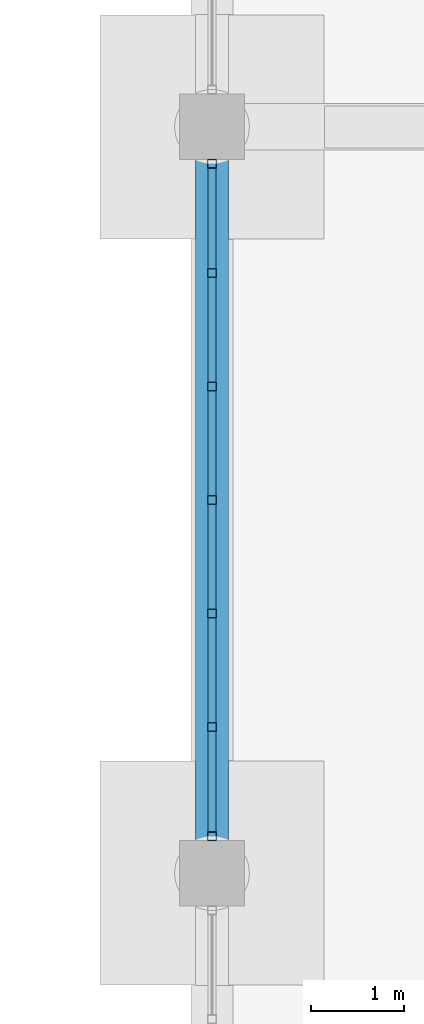
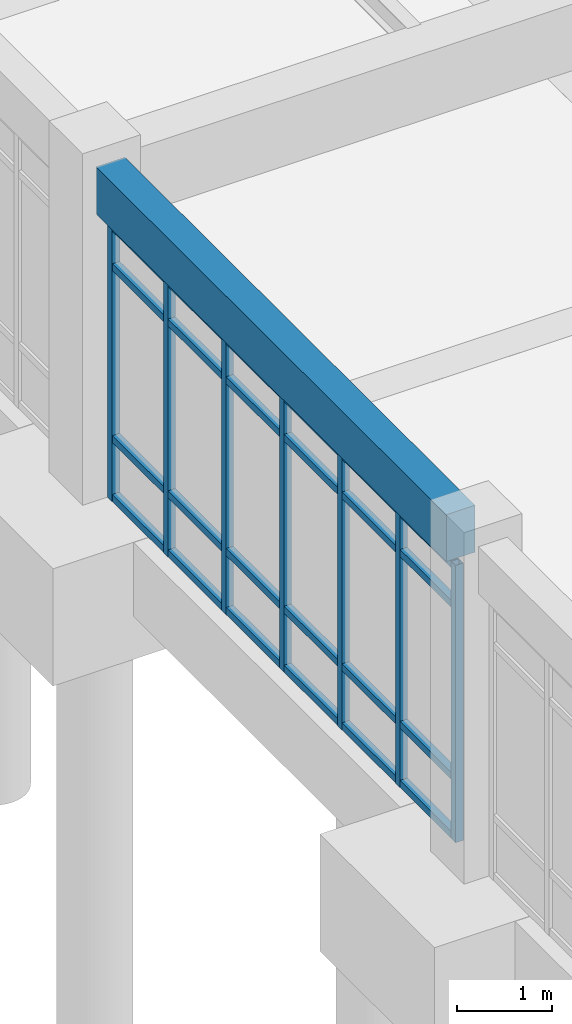
# One storey, part 97 of 153: 31 members, 1 beam, 1 element without a shape of its own.
"""IFC4 building model written with IfcOpenShell, lengths in metres."""

from ifc_helpers import new_model, si_unit, direction, frame, origin, origin_2d, place, context, subcontext, project, spatial, rectangle, hollow_rectangle, extrude, material, material_profile, profile_set, type_object, element, aggregate, save


model = new_model("IFC4")

# Units and contexts
model_context = context("Model", 3, precision=1e-05, world=origin(), true_north=direction((0.0, 1.0)))
body_context = subcontext(model_context, "Body", "Model", "MODEL_VIEW")
ifc_project = project(units=[si_unit("LENGTHUNIT", "METRE"), si_unit("AREAUNIT", "SQUARE_METRE"), si_unit("VOLUMEUNIT", "CUBIC_METRE"), si_unit("PLANEANGLEUNIT", "RADIAN"), si_unit("MASSUNIT", "GRAM", prefix="KILO")], contexts=[model_context])

# Site, building, storey
site_placement = place(None, origin())
site = spatial("IfcSite", under=ifc_project, at=site_placement, CompositionType="ELEMENT")
building_placement = place(site_placement, origin())
building = spatial("IfcBuilding", under=site, at=building_placement, Name="Celadon Cloister-Ring School", CompositionType="ELEMENT")
storey_placement = place(building_placement, origin())
storey = spatial("IfcBuildingStorey", under=building, at=storey_placement, Name="L00", CompositionType="ELEMENT", Elevation=0.0)

# Beam
ifc_material_1 = material(Name="Concrete C35/45", Category="concrete")
ifc_material_profile_1 = material_profile(ifc_material_1, rectangle(XDim=0.35009765625, YDim=0.60009765625, at=origin_2d()), Name="RC350X600")
ifc_profile_set_1 = profile_set([ifc_material_profile_1], Name="Concrete C35/45")
beam_type = type_object("IfcBeamType", Name="BT-02", PredefinedType="BEAM", material=ifc_profile_set_1)
beam_placement = place(storey_placement, frame((142.0, 90.324951171875, 3.9599609375), z_axis=(0.0, 1.0, 0.0), x_axis=(-1.0, 0.0, 0.0)))
element("IfcBeam", 1, at=beam_placement, inside=storey, type_object=beam_type, Name="Beam 1134", PredefinedType="BEAM", context=body_context, shape_type="SweptSolid", body=[
    extrude(rectangle(XDim=0.35009765625, YDim=0.60009765625, at=origin_2d()), origin(), (0.0, 0.0, 1.0), 7.35009765625),
])

# Curtain wall, members
ifc_material_2 = material(Name="Aluminium EN AW-6063 T6", Category="aluminium")
curtain_wall_type = type_object("IfcCurtainWallType", Name="CW-07", PredefinedType="USERDEFINED", material=ifc_material_2)
curtain_wall_placement = place(storey_placement, origin())
curtain_wall = element("IfcCurtainWall", 2, at=curtain_wall_placement, inside=storey, type_object=curtain_wall_type, Name="Curtain Wall 0177", ObjectType="CURTAIN WALL", PredefinedType="USERDEFINED")
ifc_material_3 = material(Name="Aluminium EN AW-6063 T6", Category="aluminium")
ifc_material_profile_2 = material_profile(ifc_material_3, hollow_rectangle(XDim=0.094970703125, YDim=0.094970703125, WallThickness=0.00390625, at=origin_2d()), Name="RHS95X95X4")
ifc_profile_set_2 = profile_set([ifc_material_profile_2], Name="Aluminium EN AW-6063 T6")
member_type_1 = type_object("IfcMemberType", Name="CM-02", PredefinedType="MULLION", material=ifc_profile_set_2)
member_1_placement = place(storey_placement, frame((142.0, 90.3974609375, 0.0), z_axis=(0.0, 0.0, 1.0), x_axis=(-1.0, 0.0, 0.0)))
member_1 = element("IfcMember", 3, at=member_1_placement, type_object=member_type_1, Name="CW-07 mullion 1", PredefinedType="MULLION", context=body_context, shape_type="SweptSolid", body=[
    extrude(hollow_rectangle(XDim=0.094970703125, YDim=0.094970703125, WallThickness=0.00390625, at=origin_2d()), origin(), (0.0, 0.0, 1.0), 3.550048828125),
])
member_2_placement = place(storey_placement, frame((142.0, 91.566650390625, 0.0), z_axis=(0.0, 0.0, 1.0), x_axis=(-1.0, 0.0, 0.0)))
member_2 = element("IfcMember", 4, at=member_2_placement, type_object=member_type_1, Name="CW-07 mullion 2", PredefinedType="MULLION", context=body_context, shape_type="SweptSolid", body=[
    extrude(hollow_rectangle(XDim=0.094970703125, YDim=0.094970703125, WallThickness=0.00390625, at=origin_2d()), origin(), (0.0, 0.0, 1.0), 3.550048828125),
])
member_3_placement = place(storey_placement, frame((142.0, 92.783447265625, 0.0), z_axis=(0.0, 0.0, 1.0), x_axis=(-1.0, 0.0, 0.0)))
member_3 = element("IfcMember", 5, at=member_3_placement, type_object=member_type_1, Name="CW-07 mullion 3", PredefinedType="MULLION", context=body_context, shape_type="SweptSolid", body=[
    extrude(hollow_rectangle(XDim=0.094970703125, YDim=0.094970703125, WallThickness=0.00390625, at=origin_2d()), origin(), (0.0, 0.0, 1.0), 3.550048828125),
])
member_4_placement = place(storey_placement, frame((142.0, 94.0, 0.0), z_axis=(0.0, 0.0, 1.0), x_axis=(-1.0, 0.0, 0.0)))
member_4 = element("IfcMember", 6, at=member_4_placement, type_object=member_type_1, Name="CW-07 mullion 4", PredefinedType="MULLION", context=body_context, shape_type="SweptSolid", body=[
    extrude(hollow_rectangle(XDim=0.094970703125, YDim=0.094970703125, WallThickness=0.00390625, at=origin_2d()), origin(), (0.0, 0.0, 1.0), 3.550048828125),
])
member_5_placement = place(storey_placement, frame((142.0, 95.216552734375, 0.0), z_axis=(0.0, 0.0, 1.0), x_axis=(-1.0, 0.0, 0.0)))
member_5 = element("IfcMember", 7, at=member_5_placement, type_object=member_type_1, Name="CW-07 mullion 5", PredefinedType="MULLION", context=body_context, shape_type="SweptSolid", body=[
    extrude(hollow_rectangle(XDim=0.094970703125, YDim=0.094970703125, WallThickness=0.00390625, at=origin_2d()), origin(), (0.0, 0.0, 1.0), 3.550048828125),
])
member_6_placement = place(storey_placement, frame((142.0, 96.433349609375, 0.0), z_axis=(0.0, 0.0, 1.0), x_axis=(-1.0, 0.0, 0.0)))
member_6 = element("IfcMember", 8, at=member_6_placement, type_object=member_type_1, Name="CW-07 mullion 6", PredefinedType="MULLION", context=body_context, shape_type="SweptSolid", body=[
    extrude(hollow_rectangle(XDim=0.094970703125, YDim=0.094970703125, WallThickness=0.00390625, at=origin_2d()), origin(), (0.0, 0.0, 1.0), 3.550048828125),
])
member_7_placement = place(storey_placement, frame((142.0, 97.6025390625, 0.0), z_axis=(0.0, 0.0, 1.0), x_axis=(-1.0, 0.0, 0.0)))
member_7 = element("IfcMember", 9, at=member_7_placement, type_object=member_type_1, Name="CW-07 mullion 7", PredefinedType="MULLION", context=body_context, shape_type="SweptSolid", body=[
    extrude(hollow_rectangle(XDim=0.094970703125, YDim=0.094970703125, WallThickness=0.00390625, at=origin_2d()), origin(), (0.0, 0.0, 1.0), 3.550048828125),
])
ifc_material_4 = material(Name="Aluminium EN AW-6063 T6", Category="aluminium")
ifc_material_profile_3 = material_profile(ifc_material_4, hollow_rectangle(XDim=0.090087890625, YDim=0.090087890625, WallThickness=0.00390625, at=origin_2d()), Name="RHS90X90X4")
ifc_profile_set_3 = profile_set([ifc_material_profile_3], Name="Aluminium EN AW-6063 T6")
member_type_2 = type_object("IfcMemberType", Name="CTM-02", PredefinedType="USERDEFINED", material=ifc_profile_set_3)
member_8_placement = place(storey_placement, frame((142.0, 90.445068359375, 0.044921875), z_axis=(0.0, 1.0, 0.0), x_axis=(-1.0, 0.0, 0.0)))
member_8 = element("IfcMember", 10, at=member_8_placement, type_object=member_type_2, Name="CW-07 transom 1.1", ObjectType="TRANSOM", PredefinedType="USERDEFINED", context=body_context, shape_type="SweptSolid", body=[
    extrude(hollow_rectangle(XDim=0.090087890625, YDim=0.090087890625, WallThickness=0.00390625, at=origin_2d()), origin(), (0.0, 0.0, 1.0), 1.07421875),
])
member_9_placement = place(storey_placement, frame((142.0, 90.445068359375, 0.800048828125), z_axis=(0.0, 1.0, 0.0), x_axis=(-1.0, 0.0, 0.0)))
member_9 = element("IfcMember", 11, at=member_9_placement, type_object=member_type_2, Name="CW-07 transom 1.2", ObjectType="TRANSOM", PredefinedType="USERDEFINED", context=body_context, shape_type="SweptSolid", body=[
    extrude(hollow_rectangle(XDim=0.090087890625, YDim=0.090087890625, WallThickness=0.00390625, at=origin_2d()), origin(), (0.0, 0.0, 1.0), 1.07421875),
])
member_10_placement = place(storey_placement, frame((142.0, 90.445068359375, 3.0), z_axis=(0.0, 1.0, 0.0), x_axis=(-1.0, 0.0, 0.0)))
member_10 = element("IfcMember", 12, at=member_10_placement, type_object=member_type_2, Name="CW-07 transom 1.3", ObjectType="TRANSOM", PredefinedType="USERDEFINED", context=body_context, shape_type="SweptSolid", body=[
    extrude(hollow_rectangle(XDim=0.090087890625, YDim=0.090087890625, WallThickness=0.00390625, at=origin_2d()), origin(), (0.0, 0.0, 1.0), 1.07421875),
])
member_11_placement = place(storey_placement, frame((142.0, 90.445068359375, 3.5048828125), z_axis=(0.0, 1.0, 0.0), x_axis=(-1.0, 0.0, 0.0)))
member_11 = element("IfcMember", 13, at=member_11_placement, type_object=member_type_2, Name="CW-07 transom 1.4", ObjectType="TRANSOM", PredefinedType="USERDEFINED", context=body_context, shape_type="SweptSolid", body=[
    extrude(hollow_rectangle(XDim=0.090087890625, YDim=0.090087890625, WallThickness=0.00390625, at=origin_2d()), origin(), (0.0, 0.0, 1.0), 1.07421875),
])
member_12_placement = place(storey_placement, frame((142.0, 91.6142578125, 0.044921875), z_axis=(0.0, 1.0, 0.0), x_axis=(-1.0, 0.0, 0.0)))
member_12 = element("IfcMember", 14, at=member_12_placement, type_object=member_type_2, Name="CW-07 transom 2.1", ObjectType="TRANSOM", PredefinedType="USERDEFINED", context=body_context, shape_type="SweptSolid", body=[
    extrude(hollow_rectangle(XDim=0.090087890625, YDim=0.090087890625, WallThickness=0.00390625, at=origin_2d()), origin(), (0.0, 0.0, 1.0), 1.12158203125),
])
member_13_placement = place(storey_placement, frame((142.0, 91.6142578125, 0.800048828125), z_axis=(0.0, 1.0, 0.0), x_axis=(-1.0, 0.0, 0.0)))
member_13 = element("IfcMember", 15, at=member_13_placement, type_object=member_type_2, Name="CW-07 transom 2.2", ObjectType="TRANSOM", PredefinedType="USERDEFINED", context=body_context, shape_type="SweptSolid", body=[
    extrude(hollow_rectangle(XDim=0.090087890625, YDim=0.090087890625, WallThickness=0.00390625, at=origin_2d()), origin(), (0.0, 0.0, 1.0), 1.12158203125),
])
member_14_placement = place(storey_placement, frame((142.0, 91.6142578125, 3.0), z_axis=(0.0, 1.0, 0.0), x_axis=(-1.0, 0.0, 0.0)))
member_14 = element("IfcMember", 16, at=member_14_placement, type_object=member_type_2, Name="CW-07 transom 2.3", ObjectType="TRANSOM", PredefinedType="USERDEFINED", context=body_context, shape_type="SweptSolid", body=[
    extrude(hollow_rectangle(XDim=0.090087890625, YDim=0.090087890625, WallThickness=0.00390625, at=origin_2d()), origin(), (0.0, 0.0, 1.0), 1.12158203125),
])
member_15_placement = place(storey_placement, frame((142.0, 91.6142578125, 3.5048828125), z_axis=(0.0, 1.0, 0.0), x_axis=(-1.0, 0.0, 0.0)))
member_15 = element("IfcMember", 17, at=member_15_placement, type_object=member_type_2, Name="CW-07 transom 2.4", ObjectType="TRANSOM", PredefinedType="USERDEFINED", context=body_context, shape_type="SweptSolid", body=[
    extrude(hollow_rectangle(XDim=0.090087890625, YDim=0.090087890625, WallThickness=0.00390625, at=origin_2d()), origin(), (0.0, 0.0, 1.0), 1.12158203125),
])
member_16_placement = place(storey_placement, frame((142.0, 92.830810546875, 0.044921875), z_axis=(0.0, 1.0, 0.0), x_axis=(-1.0, 0.0, 0.0)))
member_16 = element("IfcMember", 18, at=member_16_placement, type_object=member_type_2, Name="CW-07 transom 3.1", ObjectType="TRANSOM", PredefinedType="USERDEFINED", context=body_context, shape_type="SweptSolid", body=[
    extrude(hollow_rectangle(XDim=0.090087890625, YDim=0.090087890625, WallThickness=0.00390625, at=origin_2d()), origin(), (0.0, 0.0, 1.0), 1.12158203125),
])
member_17_placement = place(storey_placement, frame((142.0, 92.830810546875, 0.800048828125), z_axis=(0.0, 1.0, 0.0), x_axis=(-1.0, 0.0, 0.0)))
member_17 = element("IfcMember", 19, at=member_17_placement, type_object=member_type_2, Name="CW-07 transom 3.2", ObjectType="TRANSOM", PredefinedType="USERDEFINED", context=body_context, shape_type="SweptSolid", body=[
    extrude(hollow_rectangle(XDim=0.090087890625, YDim=0.090087890625, WallThickness=0.00390625, at=origin_2d()), origin(), (0.0, 0.0, 1.0), 1.12158203125),
])
member_18_placement = place(storey_placement, frame((142.0, 92.830810546875, 3.0), z_axis=(0.0, 1.0, 0.0), x_axis=(-1.0, 0.0, 0.0)))
member_18 = element("IfcMember", 20, at=member_18_placement, type_object=member_type_2, Name="CW-07 transom 3.3", ObjectType="TRANSOM", PredefinedType="USERDEFINED", context=body_context, shape_type="SweptSolid", body=[
    extrude(hollow_rectangle(XDim=0.090087890625, YDim=0.090087890625, WallThickness=0.00390625, at=origin_2d()), origin(), (0.0, 0.0, 1.0), 1.12158203125),
])
member_19_placement = place(storey_placement, frame((142.0, 92.830810546875, 3.5048828125), z_axis=(0.0, 1.0, 0.0), x_axis=(-1.0, 0.0, 0.0)))
member_19 = element("IfcMember", 21, at=member_19_placement, type_object=member_type_2, Name="CW-07 transom 3.4", ObjectType="TRANSOM", PredefinedType="USERDEFINED", context=body_context, shape_type="SweptSolid", body=[
    extrude(hollow_rectangle(XDim=0.090087890625, YDim=0.090087890625, WallThickness=0.00390625, at=origin_2d()), origin(), (0.0, 0.0, 1.0), 1.12158203125),
])
member_20_placement = place(storey_placement, frame((142.0, 94.047607421875, 0.044921875), z_axis=(0.0, 1.0, 0.0), x_axis=(-1.0, 0.0, 0.0)))
member_20 = element("IfcMember", 22, at=member_20_placement, type_object=member_type_2, Name="CW-07 transom 4.1", ObjectType="TRANSOM", PredefinedType="USERDEFINED", context=body_context, shape_type="SweptSolid", body=[
    extrude(hollow_rectangle(XDim=0.090087890625, YDim=0.090087890625, WallThickness=0.00390625, at=origin_2d()), origin(), (0.0, 0.0, 1.0), 1.12158203125),
])
member_21_placement = place(storey_placement, frame((142.0, 94.047607421875, 0.800048828125), z_axis=(0.0, 1.0, 0.0), x_axis=(-1.0, 0.0, 0.0)))
member_21 = element("IfcMember", 23, at=member_21_placement, type_object=member_type_2, Name="CW-07 transom 4.2", ObjectType="TRANSOM", PredefinedType="USERDEFINED", context=body_context, shape_type="SweptSolid", body=[
    extrude(hollow_rectangle(XDim=0.090087890625, YDim=0.090087890625, WallThickness=0.00390625, at=origin_2d()), origin(), (0.0, 0.0, 1.0), 1.12158203125),
])
member_22_placement = place(storey_placement, frame((142.0, 94.047607421875, 3.0), z_axis=(0.0, 1.0, 0.0), x_axis=(-1.0, 0.0, 0.0)))
member_22 = element("IfcMember", 24, at=member_22_placement, type_object=member_type_2, Name="CW-07 transom 4.3", ObjectType="TRANSOM", PredefinedType="USERDEFINED", context=body_context, shape_type="SweptSolid", body=[
    extrude(hollow_rectangle(XDim=0.090087890625, YDim=0.090087890625, WallThickness=0.00390625, at=origin_2d()), origin(), (0.0, 0.0, 1.0), 1.12158203125),
])
member_23_placement = place(storey_placement, frame((142.0, 94.047607421875, 3.5048828125), z_axis=(0.0, 1.0, 0.0), x_axis=(-1.0, 0.0, 0.0)))
member_23 = element("IfcMember", 25, at=member_23_placement, type_object=member_type_2, Name="CW-07 transom 4.4", ObjectType="TRANSOM", PredefinedType="USERDEFINED", context=body_context, shape_type="SweptSolid", body=[
    extrude(hollow_rectangle(XDim=0.090087890625, YDim=0.090087890625, WallThickness=0.00390625, at=origin_2d()), origin(), (0.0, 0.0, 1.0), 1.12158203125),
])
member_24_placement = place(storey_placement, frame((142.0, 95.26416015625, 0.044921875), z_axis=(0.0, 1.0, 0.0), x_axis=(-1.0, 0.0, 0.0)))
member_24 = element("IfcMember", 26, at=member_24_placement, type_object=member_type_2, Name="CW-07 transom 5.1", ObjectType="TRANSOM", PredefinedType="USERDEFINED", context=body_context, shape_type="SweptSolid", body=[
    extrude(hollow_rectangle(XDim=0.090087890625, YDim=0.090087890625, WallThickness=0.00390625, at=origin_2d()), origin(), (0.0, 0.0, 1.0), 1.12158203125),
])
member_25_placement = place(storey_placement, frame((142.0, 95.26416015625, 0.800048828125), z_axis=(0.0, 1.0, 0.0), x_axis=(-1.0, 0.0, 0.0)))
member_25 = element("IfcMember", 27, at=member_25_placement, type_object=member_type_2, Name="CW-07 transom 5.2", ObjectType="TRANSOM", PredefinedType="USERDEFINED", context=body_context, shape_type="SweptSolid", body=[
    extrude(hollow_rectangle(XDim=0.090087890625, YDim=0.090087890625, WallThickness=0.00390625, at=origin_2d()), origin(), (0.0, 0.0, 1.0), 1.12158203125),
])
member_26_placement = place(storey_placement, frame((142.0, 95.26416015625, 3.0), z_axis=(0.0, 1.0, 0.0), x_axis=(-1.0, 0.0, 0.0)))
member_26 = element("IfcMember", 28, at=member_26_placement, type_object=member_type_2, Name="CW-07 transom 5.3", ObjectType="TRANSOM", PredefinedType="USERDEFINED", context=body_context, shape_type="SweptSolid", body=[
    extrude(hollow_rectangle(XDim=0.090087890625, YDim=0.090087890625, WallThickness=0.00390625, at=origin_2d()), origin(), (0.0, 0.0, 1.0), 1.12158203125),
])
member_27_placement = place(storey_placement, frame((142.0, 95.26416015625, 3.5048828125), z_axis=(0.0, 1.0, 0.0), x_axis=(-1.0, 0.0, 0.0)))
member_27 = element("IfcMember", 29, at=member_27_placement, type_object=member_type_2, Name="CW-07 transom 5.4", ObjectType="TRANSOM", PredefinedType="USERDEFINED", context=body_context, shape_type="SweptSolid", body=[
    extrude(hollow_rectangle(XDim=0.090087890625, YDim=0.090087890625, WallThickness=0.00390625, at=origin_2d()), origin(), (0.0, 0.0, 1.0), 1.12158203125),
])
member_28_placement = place(storey_placement, frame((142.0, 96.480712890625, 0.044921875), z_axis=(0.0, 1.0, 0.0), x_axis=(-1.0, 0.0, 0.0)))
member_28 = element("IfcMember", 30, at=member_28_placement, type_object=member_type_2, Name="CW-07 transom 6.1", ObjectType="TRANSOM", PredefinedType="USERDEFINED", context=body_context, shape_type="SweptSolid", body=[
    extrude(hollow_rectangle(XDim=0.090087890625, YDim=0.090087890625, WallThickness=0.00390625, at=origin_2d()), origin(), (0.0, 0.0, 1.0), 1.07421875),
])
member_29_placement = place(storey_placement, frame((142.0, 96.480712890625, 0.800048828125), z_axis=(0.0, 1.0, 0.0), x_axis=(-1.0, 0.0, 0.0)))
member_29 = element("IfcMember", 31, at=member_29_placement, type_object=member_type_2, Name="CW-07 transom 6.2", ObjectType="TRANSOM", PredefinedType="USERDEFINED", context=body_context, shape_type="SweptSolid", body=[
    extrude(hollow_rectangle(XDim=0.090087890625, YDim=0.090087890625, WallThickness=0.00390625, at=origin_2d()), origin(), (0.0, 0.0, 1.0), 1.07421875),
])
member_30_placement = place(storey_placement, frame((142.0, 96.480712890625, 3.0), z_axis=(0.0, 1.0, 0.0), x_axis=(-1.0, 0.0, 0.0)))
member_30 = element("IfcMember", 32, at=member_30_placement, type_object=member_type_2, Name="CW-07 transom 6.3", ObjectType="TRANSOM", PredefinedType="USERDEFINED", context=body_context, shape_type="SweptSolid", body=[
    extrude(hollow_rectangle(XDim=0.090087890625, YDim=0.090087890625, WallThickness=0.00390625, at=origin_2d()), origin(), (0.0, 0.0, 1.0), 1.07421875),
])
member_31_placement = place(storey_placement, frame((142.0, 96.480712890625, 3.5048828125), z_axis=(0.0, 1.0, 0.0), x_axis=(-1.0, 0.0, 0.0)))
member_31 = element("IfcMember", 33, at=member_31_placement, type_object=member_type_2, Name="CW-07 transom 6.4", ObjectType="TRANSOM", PredefinedType="USERDEFINED", context=body_context, shape_type="SweptSolid", body=[
    extrude(hollow_rectangle(XDim=0.090087890625, YDim=0.090087890625, WallThickness=0.00390625, at=origin_2d()), origin(), (0.0, 0.0, 1.0), 1.07421875),
])
aggregate(curtain_wall, [member_1, member_2, member_3, member_4, member_5, member_6, member_7, member_8, member_9, member_10, member_11, member_12, member_13, member_14, member_15, member_16, member_17, member_18, member_19, member_20, member_21, member_22, member_23, member_24, member_25, member_26, member_27, member_28, member_29, member_30, member_31])

save(model, "model.ifc")
